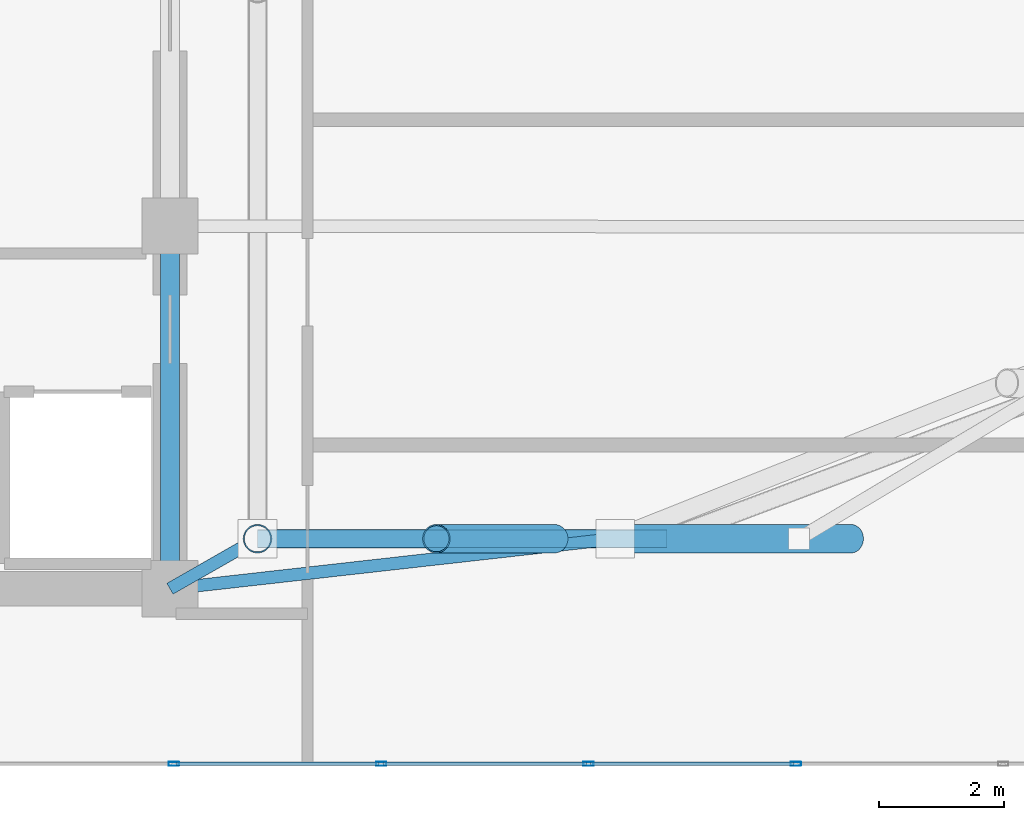
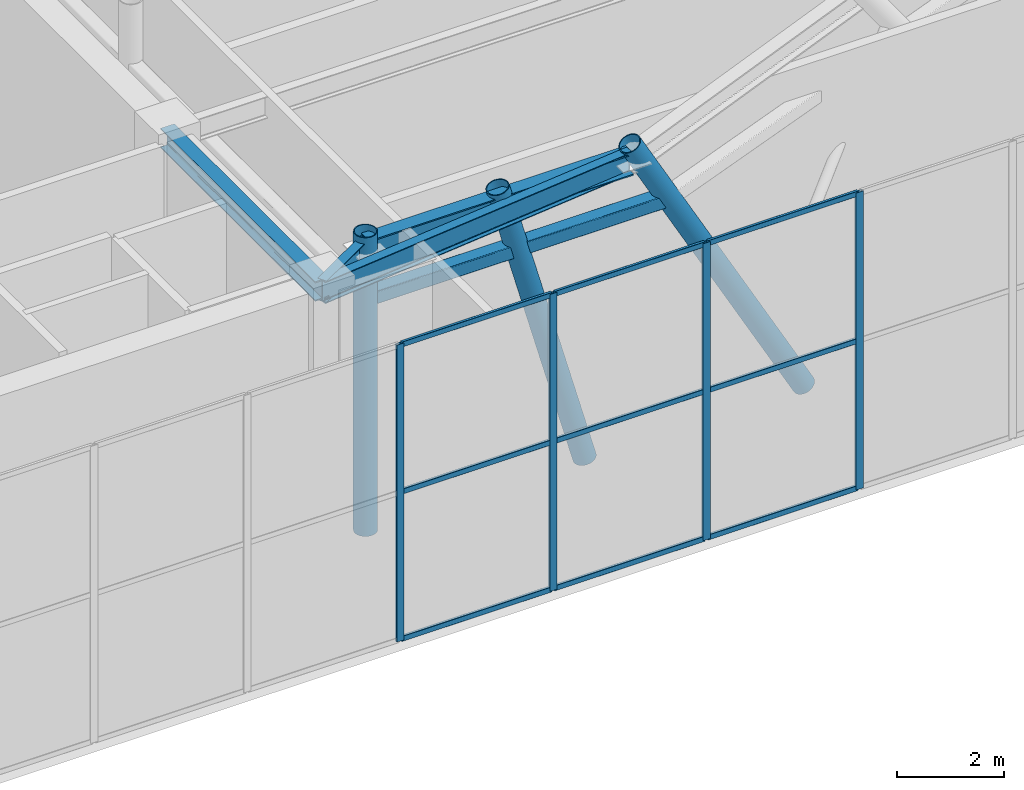
# One storey, part 8 of 24: 17 members, 4 beams, 1 element without a shape of its own.
"""IFC4 building model written with IfcOpenShell, lengths in metres."""

from ifc_helpers import new_model, si_unit, direction, frame, origin, origin_2d, place, context, subcontext, project, spatial, hollow_rectangle, hollow_circle, i_section, extrude, material, layer, layer_set, material_profile, profile_set, type_object, element, aggregate, save


model = new_model("IFC4")

# Units and contexts
model_context = context("Model", 3, precision=1e-05, world=origin(), true_north=direction((0.0, 1.0)))
body_context = subcontext(model_context, "Body", "Model", "MODEL_VIEW")
ifc_project = project(units=[si_unit("LENGTHUNIT", "METRE"), si_unit("AREAUNIT", "SQUARE_METRE"), si_unit("VOLUMEUNIT", "CUBIC_METRE"), si_unit("PLANEANGLEUNIT", "RADIAN"), si_unit("MASSUNIT", "GRAM", prefix="KILO")], contexts=[model_context])

# Site, building, storey
site_placement = place(None, origin())
site = spatial("IfcSite", under=ifc_project, at=site_placement, CompositionType="ELEMENT")
building_placement = place(site_placement, origin())
building = spatial("IfcBuilding", under=site, at=building_placement, Name="An Khanh Terracotta Commons", CompositionType="ELEMENT")
storey_placement = place(building_placement, frame((0.0, 0.0, 315.199951171875)))
storey = spatial("IfcBuildingStorey", under=building, at=storey_placement, Name="L80 Crown Cooling Plant", CompositionType="ELEMENT", Elevation=315.199951171875)

# Beams
ifc_material_1 = material(Name="Steel S355J2", Category="steel")
ifc_material_profile_1 = material_profile(ifc_material_1, i_section(OverallWidth=0.300048828125, OverallDepth=0.449951171875, WebThickness=0.013916015625, FlangeThickness=0.02587890625, FilletRadius=0.027099609375, at=origin_2d()), Name="HEB450")
ifc_profile_set_1 = profile_set([ifc_material_profile_1], Name="Steel S355J2")
beam_type_1 = type_object("IfcBeamType", Name="BM-HEB450", PredefinedType="BEAM", material=ifc_profile_set_1)
beam_1_placement = place(storey_placement, frame((37.199951171875, 14.39990234375, 6.35498046875), z_axis=(0.0, 1.0, 0.0), x_axis=(-1.0, 0.0, 0.0)))
element("IfcBeam", 1, at=beam_1_placement, inside=storey, type_object=beam_type_1, Name="L80 Crown Cooling Plant Core East Coupling Girder 1", PredefinedType="BEAM", context=body_context, shape_type="SweptSolid", body=[
    extrude(i_section(OverallWidth=0.300048828125, OverallDepth=0.449951171875, WebThickness=0.013916015625, FlangeThickness=0.02587890625, FilletRadius=0.027099609375, at=origin_2d()), origin(), (0.0, 0.0, 1.0), 5.800048828125),
])
ifc_material_profile_2 = material_profile(ifc_material_1, i_section(OverallWidth=0.300048828125, OverallDepth=0.5, WebThickness=0.014404296875, FlangeThickness=0.028076171875, FilletRadius=0.027099609375, at=origin_2d()), Name="HEB500")
ifc_profile_set_2 = profile_set([ifc_material_profile_2], Name="Steel S355J2")
beam_type_2 = type_object("IfcBeamType", Name="BM-HEB500", PredefinedType="BEAM", material=ifc_profile_set_2)
beam_2_placement = place(storey_placement, frame((38.60009765625, 15.199951171875, 6.330078125), z_axis=(1.0, 0.0, 0.0), x_axis=(0.0, 1.0, 0.0)))
element("IfcBeam", 2, at=beam_2_placement, inside=storey, type_object=beam_type_2, Name="L80 Crown Cooling Plant CROWN FRAME Ring Beam 1", PredefinedType="BEAM", context=body_context, shape_type="SweptSolid", body=[
    extrude(i_section(OverallWidth=0.300048828125, OverallDepth=0.5, WebThickness=0.014404296875, FlangeThickness=0.028076171875, FilletRadius=0.027099609375, at=origin_2d()), origin(), (0.0, 0.0, 1.0), 5.721923828125),
])
ifc_material_profile_3 = material_profile(ifc_material_1, i_section(OverallWidth=0.199951171875, OverallDepth=0.5, WebThickness=0.01025390625, FlangeThickness=0.01611328125, FilletRadius=0.02099609375, at=origin_2d()), Name="IPE500")
ifc_profile_set_3 = profile_set([ifc_material_profile_3], Name="Steel S355J2")
beam_type_3 = type_object("IfcBeamType", Name="BM-IPE500", PredefinedType="BEAM", material=ifc_profile_set_3)
beam_3_placement = place(storey_placement, frame((37.199951171875, 14.39990234375, 6.330078125), z_axis=(0.86825245861, 0.496122634152, 0.0), x_axis=(-0.496122634152, 0.86825245861, 0.0)))
element("IfcBeam", 3, at=beam_3_placement, inside=storey, type_object=beam_type_3, Name="L80 Crown Cooling Plant Crown Radial Tie Beam 1", PredefinedType="BEAM", context=body_context, shape_type="SweptSolid", body=[
    extrude(i_section(OverallWidth=0.199951171875, OverallDepth=0.5, WebThickness=0.01025390625, FlangeThickness=0.01611328125, FilletRadius=0.02099609375, at=origin_2d()), origin(), (0.0, 0.0, 1.0), 1.612548828125),
])
beam_4_placement = place(storey_placement, frame((37.199951171875, 14.39990234375, 6.330078125), z_axis=(0.993749657284, 0.111631620284, 0.0), x_axis=(-0.111631620284, 0.993749657284, 0.0)))
element("IfcBeam", 4, at=beam_4_placement, inside=storey, type_object=beam_type_3, Name="L80 Crown Cooling Plant Crown Radial Tie Beam 2", PredefinedType="BEAM", context=body_context, shape_type="SweptSolid", body=[
    extrude(i_section(OverallWidth=0.199951171875, OverallDepth=0.5, WebThickness=0.01025390625, FlangeThickness=0.01611328125, FilletRadius=0.02099609375, at=origin_2d()), origin(), (0.0, 0.0, 1.0), 7.166748046875),
])

# Members
ifc_material_2 = material(Name="Steel S460ML", Category="steel")
ifc_material_profile_4 = material_profile(ifc_material_2, hollow_circle(Radius=0.228515625, WallThickness=0.02001953125, at=origin_2d()), Name="CHS457x20")
ifc_profile_set_4 = profile_set([ifc_material_profile_4], Name="Steel S460ML")
member_type_1 = type_object("IfcMemberType", Name="CROWN FRAME RIB CHS457", PredefinedType="STRUT", material=ifc_profile_set_4)
member_1_placement = place(storey_placement, frame((38.60009765625, 15.199951171875, -0.119873046875), z_axis=(0.0, 0.0, 1.0), x_axis=(1.0, 0.0, 0.0)))
element("IfcMember", 5, at=member_1_placement, inside=storey, type_object=member_type_1, Name="L80 Crown Cooling Plant CROWN FRAME Corner Raking Rib 1", PredefinedType="STRUT", context=body_context, shape_type="SweptSolid", body=[
    extrude(hollow_circle(Radius=0.228515625, WallThickness=0.02001953125, at=origin_2d()), origin(), (0.0, 0.0, 1.0), 6.83984375),
])
member_2_placement = place(storey_placement, frame((43.344970703125, 15.199951171875, -0.119873046875), z_axis=(-0.265559569422, 0.0, 0.964094453406), x_axis=(0.0, -1.0, 0.0)))
element("IfcMember", 6, at=member_2_placement, inside=storey, type_object=member_type_1, Name="L80 Crown Cooling Plant CROWN FRAME Facet Strut 1", PredefinedType="STRUT", context=body_context, shape_type="SweptSolid", body=[
    extrude(hollow_circle(Radius=0.228515625, WallThickness=0.02001953125, at=origin_2d()), origin(), (0.0, 0.0, 1.0), 7.094482421875),
])
member_3_placement = place(storey_placement, frame((48.090087890625, 15.199951171875, -0.119873046875), z_axis=(-0.482523505978, 0.0, 0.87588302083), x_axis=(0.0, -1.0, 0.0)))
element("IfcMember", 7, at=member_3_placement, inside=storey, type_object=member_type_1, Name="L80 Crown Cooling Plant CROWN FRAME Corner Raking Rib 2", PredefinedType="STRUT", context=body_context, shape_type="SweptSolid", body=[
    extrude(hollow_circle(Radius=0.228515625, WallThickness=0.02001953125, at=origin_2d()), origin(), (0.0, 0.0, 1.0), 7.80908203125),
])
ifc_material_profile_5 = material_profile(ifc_material_2, hollow_rectangle(XDim=0.300048828125, YDim=0.300048828125, WallThickness=0.01611328125, InnerFilletRadius=0.01611328125, OuterFilletRadius=0.031982421875, at=origin_2d()), Name="SHS300x300x16")
ifc_profile_set_5 = profile_set([ifc_material_profile_5], Name="Steel S460ML")
member_type_2 = type_object("IfcMemberType", Name="CROWN FRAME RING SHS300", PredefinedType="CHORD", material=ifc_profile_set_5)
member_4_placement = place(storey_placement, frame((38.60009765625, 15.199951171875, 5.215087890625), z_axis=(1.0, 0.0, 0.0), x_axis=(0.0, 1.0, 0.0)))
element("IfcMember", 8, at=member_4_placement, inside=storey, type_object=member_type_2, Name="L80 Crown Cooling Plant CROWN FRAME Sill Ring Chord 1", PredefinedType="CHORD", context=body_context, shape_type="SweptSolid", body=[
    extrude(hollow_rectangle(XDim=0.300048828125, YDim=0.300048828125, WallThickness=0.01611328125, InnerFilletRadius=0.01611328125, OuterFilletRadius=0.031982421875, at=origin_2d()), origin(), (0.0, 0.0, 1.0), 6.55078125),
])

# Curtain wall, members
ifc_material_3 = material(Name="Anodised Aluminium 6063-T6", Category="aluminium")
ifc_layer = layer(ifc_material_3, 0.18994140625, Name="Anodised Aluminium 6063-T6")
ifc_layer_set = layer_set([ifc_layer], Name="Anodised Aluminium 6063-T6")
curtain_wall_type = type_object("IfcCurtainWallType", Name="CW-SYS-06", PredefinedType="USERDEFINED", material=ifc_layer_set)
curtain_wall_placement = place(storey_placement, origin())
curtain_wall = element("IfcCurtainWall", 9, at=curtain_wall_placement, inside=storey, type_object=curtain_wall_type, Name="L80 Crown Cooling Plant CW-06 Unitised Curtain Wall CW-L80-04", ObjectType="UNITISED CURTAIN WALL", PredefinedType="USERDEFINED")
ifc_material_profile_6 = material_profile(ifc_material_3, hollow_rectangle(XDim=0.06494140625, YDim=0.1650390625, WallThickness=0.00390625, InnerFilletRadius=0.00390625, OuterFilletRadius=0.008056640625, at=origin_2d()), Name="RHS165x65x4")
ifc_profile_set_6 = profile_set([ifc_material_profile_6], Name="Anodised Aluminium 6063-T6")
member_type_3 = type_object("IfcMemberType", Name="CWM-RHS165x65x4", PredefinedType="MULLION", material=ifc_profile_set_6)
member_5_placement = place(storey_placement, frame((37.2626953125, 11.60009765625, 0.0), z_axis=(0.0, 0.0, 1.0), x_axis=(0.0, 1.0, 0.0)))
member_5 = element("IfcMember", 10, at=member_5_placement, type_object=member_type_3, Name="CW-06 mullion 5", PredefinedType="MULLION", context=body_context, shape_type="SweptSolid", body=[
    extrude(hollow_rectangle(XDim=0.06494140625, YDim=0.1650390625, WallThickness=0.00390625, InnerFilletRadius=0.00390625, OuterFilletRadius=0.008056640625, at=origin_2d()), origin(), (0.0, 0.0, 1.0), 6.800048828125),
])
member_6_placement = place(storey_placement, frame((40.578369140625, 11.60009765625, 0.0), z_axis=(0.0, 0.0, 1.0), x_axis=(0.0, 1.0, 0.0)))
member_6 = element("IfcMember", 11, at=member_6_placement, type_object=member_type_3, Name="CW-06 mullion 6", PredefinedType="MULLION", context=body_context, shape_type="SweptSolid", body=[
    extrude(hollow_rectangle(XDim=0.06494140625, YDim=0.1650390625, WallThickness=0.00390625, InnerFilletRadius=0.00390625, OuterFilletRadius=0.008056640625, at=origin_2d()), origin(), (0.0, 0.0, 1.0), 6.800048828125),
])
member_7_placement = place(storey_placement, frame((43.89404296875, 11.60009765625, 0.0), z_axis=(0.0, 0.0, 1.0), x_axis=(0.0, 1.0, 0.0)))
member_7 = element("IfcMember", 12, at=member_7_placement, type_object=member_type_3, Name="CW-06 mullion 7", PredefinedType="MULLION", context=body_context, shape_type="SweptSolid", body=[
    extrude(hollow_rectangle(XDim=0.06494140625, YDim=0.1650390625, WallThickness=0.00390625, InnerFilletRadius=0.00390625, OuterFilletRadius=0.008056640625, at=origin_2d()), origin(), (0.0, 0.0, 1.0), 6.800048828125),
])
member_8_placement = place(storey_placement, frame((47.209716796875, 11.60009765625, 0.0), z_axis=(0.0, 0.0, 1.0), x_axis=(0.0, 1.0, 0.0)))
member_8 = element("IfcMember", 13, at=member_8_placement, type_object=member_type_3, Name="CW-06 mullion 8", PredefinedType="MULLION", context=body_context, shape_type="SweptSolid", body=[
    extrude(hollow_rectangle(XDim=0.06494140625, YDim=0.1650390625, WallThickness=0.00390625, InnerFilletRadius=0.00390625, OuterFilletRadius=0.008056640625, at=origin_2d()), origin(), (0.0, 0.0, 1.0), 6.800048828125),
])
ifc_material_profile_7 = material_profile(ifc_material_3, hollow_rectangle(XDim=0.06005859375, YDim=0.1201171875, WallThickness=0.003662109375, InnerFilletRadius=0.003662109375, OuterFilletRadius=0.007080078125, at=origin_2d()), Name="RHS120x60x3.6")
ifc_profile_set_7 = profile_set([ifc_material_profile_7], Name="Anodised Aluminium 6063-T6")
member_type_4 = type_object("IfcMemberType", Name="CWT-RHS120x60x3.6", PredefinedType="USERDEFINED", material=ifc_profile_set_7)
member_9_placement = place(storey_placement, frame((37.295166015625, 11.60009765625, 0.030029296875), z_axis=(1.0, 0.0, 0.0), x_axis=(0.0, 1.0, 0.0)))
member_9 = element("IfcMember", 14, at=member_9_placement, type_object=member_type_4, Name="CW-06 transom 5.1", ObjectType="TRANSOM", PredefinedType="USERDEFINED", context=body_context, shape_type="SweptSolid", body=[
    extrude(hollow_rectangle(XDim=0.06005859375, YDim=0.1201171875, WallThickness=0.003662109375, InnerFilletRadius=0.003662109375, OuterFilletRadius=0.007080078125, at=origin_2d()), origin(), (0.0, 0.0, 1.0), 3.250732421875),
])
member_10_placement = place(storey_placement, frame((37.295166015625, 11.60009765625, 3.400146484375), z_axis=(1.0, 0.0, 0.0), x_axis=(0.0, 1.0, 0.0)))
member_10 = element("IfcMember", 15, at=member_10_placement, type_object=member_type_4, Name="CW-06 transom 5.2", ObjectType="TRANSOM", PredefinedType="USERDEFINED", context=body_context, shape_type="SweptSolid", body=[
    extrude(hollow_rectangle(XDim=0.06005859375, YDim=0.1201171875, WallThickness=0.003662109375, InnerFilletRadius=0.003662109375, OuterFilletRadius=0.007080078125, at=origin_2d()), origin(), (0.0, 0.0, 1.0), 3.250732421875),
])
member_11_placement = place(storey_placement, frame((37.295166015625, 11.60009765625, 6.77001953125), z_axis=(1.0, 0.0, 0.0), x_axis=(0.0, 1.0, 0.0)))
member_11 = element("IfcMember", 16, at=member_11_placement, type_object=member_type_4, Name="CW-06 transom 5.3", ObjectType="TRANSOM", PredefinedType="USERDEFINED", context=body_context, shape_type="SweptSolid", body=[
    extrude(hollow_rectangle(XDim=0.06005859375, YDim=0.1201171875, WallThickness=0.003662109375, InnerFilletRadius=0.003662109375, OuterFilletRadius=0.007080078125, at=origin_2d()), origin(), (0.0, 0.0, 1.0), 3.250732421875),
])
member_12_placement = place(storey_placement, frame((40.61083984375, 11.60009765625, 0.030029296875), z_axis=(1.0, 0.0, 0.0), x_axis=(0.0, 1.0, 0.0)))
member_12 = element("IfcMember", 17, at=member_12_placement, type_object=member_type_4, Name="CW-06 transom 6.1", ObjectType="TRANSOM", PredefinedType="USERDEFINED", context=body_context, shape_type="SweptSolid", body=[
    extrude(hollow_rectangle(XDim=0.06005859375, YDim=0.1201171875, WallThickness=0.003662109375, InnerFilletRadius=0.003662109375, OuterFilletRadius=0.007080078125, at=origin_2d()), origin(), (0.0, 0.0, 1.0), 3.250732421875),
])
member_13_placement = place(storey_placement, frame((40.61083984375, 11.60009765625, 3.400146484375), z_axis=(1.0, 0.0, 0.0), x_axis=(0.0, 1.0, 0.0)))
member_13 = element("IfcMember", 18, at=member_13_placement, type_object=member_type_4, Name="CW-06 transom 6.2", ObjectType="TRANSOM", PredefinedType="USERDEFINED", context=body_context, shape_type="SweptSolid", body=[
    extrude(hollow_rectangle(XDim=0.06005859375, YDim=0.1201171875, WallThickness=0.003662109375, InnerFilletRadius=0.003662109375, OuterFilletRadius=0.007080078125, at=origin_2d()), origin(), (0.0, 0.0, 1.0), 3.250732421875),
])
member_14_placement = place(storey_placement, frame((40.61083984375, 11.60009765625, 6.77001953125), z_axis=(1.0, 0.0, 0.0), x_axis=(0.0, 1.0, 0.0)))
member_14 = element("IfcMember", 19, at=member_14_placement, type_object=member_type_4, Name="CW-06 transom 6.3", ObjectType="TRANSOM", PredefinedType="USERDEFINED", context=body_context, shape_type="SweptSolid", body=[
    extrude(hollow_rectangle(XDim=0.06005859375, YDim=0.1201171875, WallThickness=0.003662109375, InnerFilletRadius=0.003662109375, OuterFilletRadius=0.007080078125, at=origin_2d()), origin(), (0.0, 0.0, 1.0), 3.250732421875),
])
member_15_placement = place(storey_placement, frame((43.926513671875, 11.60009765625, 0.030029296875), z_axis=(1.0, 0.0, 0.0), x_axis=(0.0, 1.0, 0.0)))
member_15 = element("IfcMember", 20, at=member_15_placement, type_object=member_type_4, Name="CW-06 transom 7.1", ObjectType="TRANSOM", PredefinedType="USERDEFINED", context=body_context, shape_type="SweptSolid", body=[
    extrude(hollow_rectangle(XDim=0.06005859375, YDim=0.1201171875, WallThickness=0.003662109375, InnerFilletRadius=0.003662109375, OuterFilletRadius=0.007080078125, at=origin_2d()), origin(), (0.0, 0.0, 1.0), 3.250732421875),
])
member_16_placement = place(storey_placement, frame((43.926513671875, 11.60009765625, 3.400146484375), z_axis=(1.0, 0.0, 0.0), x_axis=(0.0, 1.0, 0.0)))
member_16 = element("IfcMember", 21, at=member_16_placement, type_object=member_type_4, Name="CW-06 transom 7.2", ObjectType="TRANSOM", PredefinedType="USERDEFINED", context=body_context, shape_type="SweptSolid", body=[
    extrude(hollow_rectangle(XDim=0.06005859375, YDim=0.1201171875, WallThickness=0.003662109375, InnerFilletRadius=0.003662109375, OuterFilletRadius=0.007080078125, at=origin_2d()), origin(), (0.0, 0.0, 1.0), 3.250732421875),
])
member_17_placement = place(storey_placement, frame((43.926513671875, 11.60009765625, 6.77001953125), z_axis=(1.0, 0.0, 0.0), x_axis=(0.0, 1.0, 0.0)))
member_17 = element("IfcMember", 22, at=member_17_placement, type_object=member_type_4, Name="CW-06 transom 7.3", ObjectType="TRANSOM", PredefinedType="USERDEFINED", context=body_context, shape_type="SweptSolid", body=[
    extrude(hollow_rectangle(XDim=0.06005859375, YDim=0.1201171875, WallThickness=0.003662109375, InnerFilletRadius=0.003662109375, OuterFilletRadius=0.007080078125, at=origin_2d()), origin(), (0.0, 0.0, 1.0), 3.250732421875),
])
aggregate(curtain_wall, [member_5, member_6, member_7, member_8, member_9, member_10, member_11, member_12, member_13, member_14, member_15, member_16, member_17])

save(model, "model.ifc")
